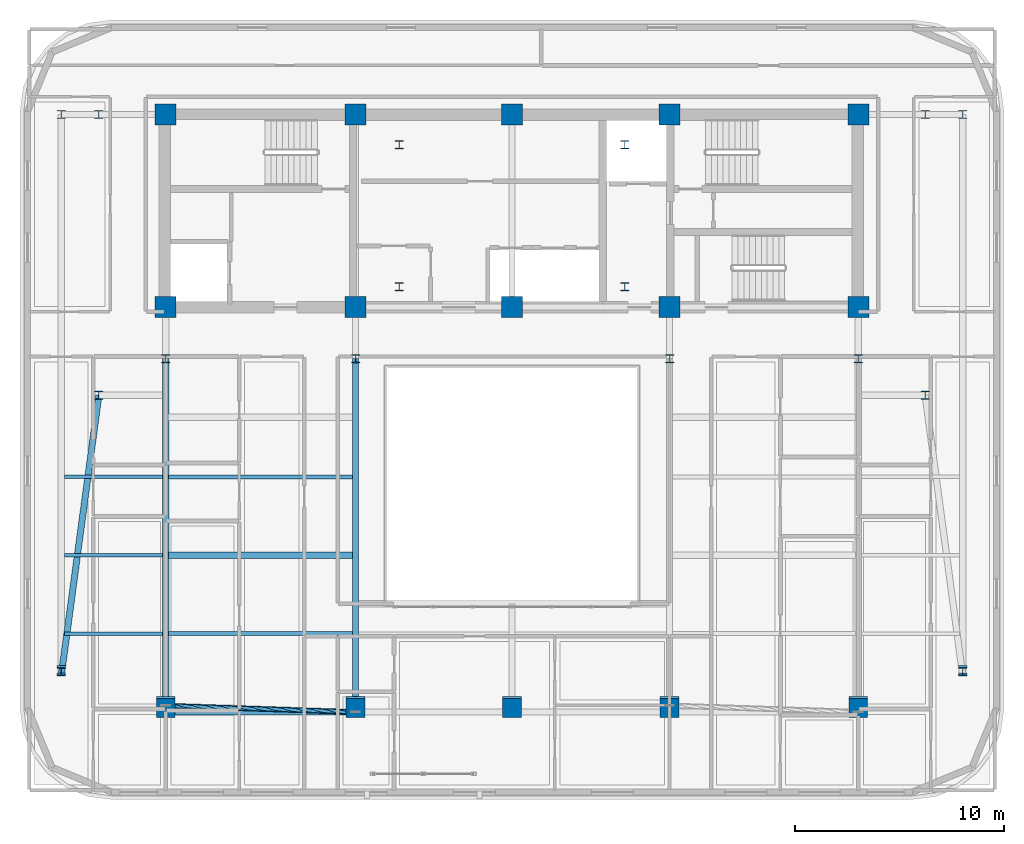
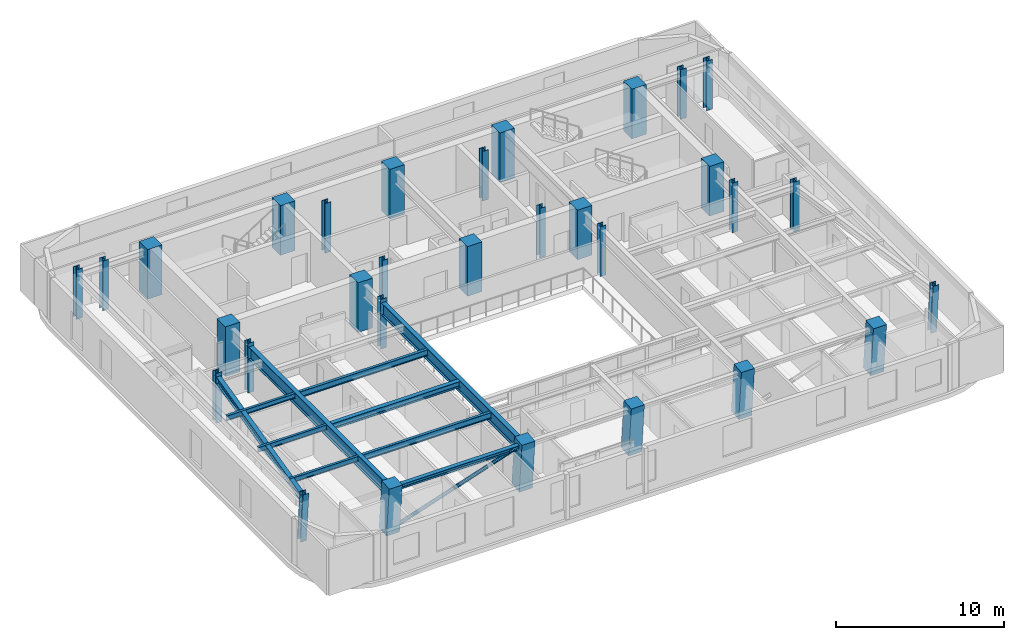
# One storey, part 1 of 14: 31 columns, 10 beams, 1 member.
"""IFC4 building model written with IfcOpenShell, lengths in metres."""

from ifc_helpers import new_model, si_unit, direction, frame, origin, origin_2d, place, context, subcontext, project, spatial, rectangle, hollow_circle, i_section, extrude, material, material_profile, profile_set, type_object, element, save


model = new_model("IFC4")

# Units and contexts
model_context = context("Model", 3, precision=1e-05, world=origin(), true_north=direction((0.0, 1.0)))
body_context = subcontext(model_context, "Body", "Model", "MODEL_VIEW")
ifc_project = project(units=[si_unit("LENGTHUNIT", "METRE"), si_unit("AREAUNIT", "SQUARE_METRE"), si_unit("VOLUMEUNIT", "CUBIC_METRE"), si_unit("PLANEANGLEUNIT", "RADIAN"), si_unit("MASSUNIT", "GRAM", prefix="KILO")], contexts=[model_context])

# Site, building, storey
site_placement = place(None, origin())
site = spatial("IfcSite", under=ifc_project, at=site_placement, CompositionType="ELEMENT")
building_placement = place(site_placement, origin())
building = spatial("IfcBuilding", under=site, at=building_placement, Name="Zarnavel Station Tower", CompositionType="ELEMENT")
storey_placement = place(building_placement, frame((0.0, 0.0, 193.199951171875)))
storey = spatial("IfcBuildingStorey", under=building, at=storey_placement, Name="L52", CompositionType="ELEMENT", Elevation=193.199951171875)

# Columns
ifc_material_1 = material(Name="Steel S355J2", Category="steel")
ifc_material_profile_1 = material_profile(ifc_material_1, i_section(OverallWidth=0.407958984375, OverallDepth=0.39990234375, WebThickness=0.02490234375, FlangeThickness=0.0390625, FilletRadius=0.014892578125, at=origin_2d()), Name="HD400x287")
ifc_profile_set_1 = profile_set([ifc_material_profile_1], Name="Steel S355J2")
column_type_1 = type_object("IfcColumnType", Name="EC_HD287", PredefinedType="COLUMN", material=ifc_profile_set_1)
column_1_placement = place(storey_placement, frame((7.199951171875, 10.439453125, 0.0), z_axis=(0.0, -0.079901051777, 0.996802799918), x_axis=(1.0, 0.0, 0.0)))
element("IfcColumn", 1, at=column_1_placement, inside=storey, type_object=column_type_1, Name="L52 Raked Wing Column 1", PredefinedType="COLUMN", context=body_context, shape_type="SweptSolid", body=[
    extrude(i_section(OverallWidth=0.407958984375, OverallDepth=0.39990234375, WebThickness=0.02490234375, FlangeThickness=0.0390625, FilletRadius=0.014892578125, at=origin_2d()), origin(), (0.0, 0.0, 1.0), 3.611572265625),
])
column_2_placement = place(storey_placement, frame((7.199951171875, 37.050048828125, 0.0), z_axis=(0.0, 0.0, 1.0), x_axis=(1.0, 0.0, 0.0)))
element("IfcColumn", 2, at=column_2_placement, inside=storey, type_object=column_type_1, Name="L52 Outer Wing North Column 1", PredefinedType="COLUMN", context=body_context, shape_type="SweptSolid", body=[
    extrude(i_section(OverallWidth=0.407958984375, OverallDepth=0.39990234375, WebThickness=0.02490234375, FlangeThickness=0.0390625, FilletRadius=0.014892578125, at=origin_2d()), origin(), (0.0, 0.0, 1.0), 3.60009765625),
])
column_3_placement = place(storey_placement, frame((50.39990234375, 10.439453125, 0.0), z_axis=(0.0, -0.079901051777, 0.996802799918), x_axis=(1.0, 0.0, 0.0)))
element("IfcColumn", 3, at=column_3_placement, inside=storey, type_object=column_type_1, Name="L52 Raked Wing Column 2", PredefinedType="COLUMN", context=body_context, shape_type="SweptSolid", body=[
    extrude(i_section(OverallWidth=0.407958984375, OverallDepth=0.39990234375, WebThickness=0.02490234375, FlangeThickness=0.0390625, FilletRadius=0.014892578125, at=origin_2d()), origin(), (0.0, 0.0, 1.0), 3.611572265625),
])
column_4_placement = place(storey_placement, frame((50.39990234375, 37.050048828125, 0.0), z_axis=(0.0, 0.0, 1.0), x_axis=(1.0, 0.0, 0.0)))
element("IfcColumn", 4, at=column_4_placement, inside=storey, type_object=column_type_1, Name="L52 Outer Wing North Column 2", PredefinedType="COLUMN", context=body_context, shape_type="SweptSolid", body=[
    extrude(i_section(OverallWidth=0.407958984375, OverallDepth=0.39990234375, WebThickness=0.02490234375, FlangeThickness=0.0390625, FilletRadius=0.014892578125, at=origin_2d()), origin(), (0.0, 0.0, 1.0), 3.60009765625),
])
ifc_material_2 = material(Name="Steel S355J2", Category="steel")
ifc_material_profile_2 = material_profile(ifc_material_2, i_section(OverallWidth=0.407958984375, OverallDepth=0.39990234375, WebThickness=0.02490234375, FlangeThickness=0.0390625, FilletRadius=0.014892578125, at=origin_2d()), Name="HD400x287")
ifc_profile_set_2 = profile_set([ifc_material_profile_2], Name="Steel S355J2")
column_type_2 = type_object("IfcColumnType", Name="IC_HD287", PredefinedType="COLUMN", material=ifc_profile_set_2)
for number, where, z_axis, x_axis, name in (
    (5, (23.39990234375, 28.800048828125, 0.0), (0.0, 0.0, 1.0), (1.0, 0.0, 0.0), "L52 Mast Spine Column 1"),
    (6, (34.199951171875, 28.800048828125, 0.0), (0.0, 0.0, 1.0), (1.0, 0.0, 0.0), "L52 Mast Spine Column 2"),
    (7, (34.199951171875, 35.60009765625, 0.0), (0.0, 0.0, 1.0), (1.0, 0.0, 0.0), "L52 Mast Spine Column 3"),
    (8, (23.39990234375, 35.60009765625, 0.0), (0.0, 0.0, 1.0), (1.0, 0.0, 0.0), "L52 Mast Spine Column 4"),
    (9, (12.199951171875, 25.35009765625, 0.0), (0.0, 0.0, 1.0), (1.0, 0.0, 0.0), "L52 Inner Spine Column 1"),
    (10, (21.300048828125, 25.35009765625, 0.0), (0.0, 0.0, 1.0), (1.0, 0.0, 0.0), "L52 Inner Spine Column 2"),
    (11, (36.35009765625, 25.35009765625, 0.0), (0.0, 0.0, 1.0), (1.0, 0.0, 0.0), "L52 Inner Spine Column 4"),
    (12, (45.39990234375, 25.35009765625, 0.0), (0.0, 0.0, 1.0), (1.0, 0.0, 0.0), "L52 Inner Spine Column 5"),
    (13, (9.0, 23.60009765625, 0.0), (0.0, 0.0, 1.0), (1.0, 0.0, 0.0), "L52 Inner Wing Spine Column 1-1"),
    (14, (9.0, 37.050048828125, 0.0), (0.0, 0.0, 1.0), (1.0, 0.0, 0.0), "L52 Inner Wing Spine Column 1-2"),
    (15, (48.60009765625, 23.60009765625, 0.0), (0.0, 0.0, 1.0), (1.0, 0.0, 0.0), "L52 Inner Wing Spine Column 2-1"),
    (16, (48.60009765625, 37.050048828125, 0.0), (0.0, 0.0, 1.0), (1.0, 0.0, 0.0), "L52 Inner Wing Spine Column 2-2"),
):
    element("IfcColumn", number, at=place(storey_placement, frame(where, z_axis=z_axis, x_axis=x_axis)), inside=storey, type_object=column_type_2, Name=name, PredefinedType="COLUMN", context=body_context, shape_type="SweptSolid", body=[
        extrude(i_section(OverallWidth=0.407958984375, OverallDepth=0.39990234375, WebThickness=0.02490234375, FlangeThickness=0.0390625, FilletRadius=0.014892578125, at=origin_2d()), origin(), (0.0, 0.0, 1.0), 3.60009765625),
    ])
ifc_material_3 = material(Name="Concrete C50/60", Category="concrete")
ifc_material_profile_3 = material_profile(ifc_material_3, rectangle(XDim=1.0, YDim=1.0, at=origin_2d()), Name="RC1000x1000")
ifc_profile_set_3 = profile_set([ifc_material_profile_3], Name="Concrete C50/60")
column_type_3 = type_object("IfcColumnType", Name="IC_RC1000", PredefinedType="COLUMN", material=ifc_profile_set_3)
for number, where, z_axis, x_axis, name in (
    (17, (12.199951171875, 27.820068359375, 0.0), (0.0, 0.0, 1.0), (1.0, 0.0, 0.0), "L52 Core Spine Column 1-1"),
    (18, (12.199951171875, 37.050048828125, 0.0), (0.0, 0.0, 1.0), (1.0, 0.0, 0.0), "L52 Core Spine Column 1-2"),
    (19, (21.300048828125, 27.820068359375, 0.0), (0.0, 0.0, 1.0), (1.0, 0.0, 0.0), "L52 Core Spine Column 2-1"),
    (20, (21.300048828125, 37.050048828125, 0.0), (0.0, 0.0, 1.0), (1.0, 0.0, 0.0), "L52 Core Spine Column 2-2"),
    (21, (28.800048828125, 27.820068359375, 0.0), (0.0, 0.0, 1.0), (1.0, 0.0, 0.0), "L52 Core Spine Column 3-1"),
    (22, (28.800048828125, 37.050048828125, 0.0), (0.0, 0.0, 1.0), (1.0, 0.0, 0.0), "L52 Core Spine Column 3-2"),
    (23, (36.35009765625, 27.820068359375, 0.0), (0.0, 0.0, 1.0), (1.0, 0.0, 0.0), "L52 Core Spine Column 4-1"),
    (24, (36.35009765625, 37.050048828125, 0.0), (0.0, 0.0, 1.0), (1.0, 0.0, 0.0), "L52 Core Spine Column 4-2"),
    (25, (45.39990234375, 27.820068359375, 0.0), (0.0, 0.0, 1.0), (1.0, 0.0, 0.0), "L52 Core Spine Column 5-1"),
    (26, (45.39990234375, 37.050048828125, 0.0), (0.0, 0.0, 1.0), (1.0, 0.0, 0.0), "L52 Core Spine Column 5-2"),
):
    element("IfcColumn", number, at=place(storey_placement, frame(where, z_axis=z_axis, x_axis=x_axis)), inside=storey, type_object=column_type_3, Name=name, PredefinedType="COLUMN", context=body_context, shape_type="SweptSolid", body=[
        extrude(rectangle(XDim=1.0, YDim=1.0, at=origin_2d()), origin(), (0.0, 0.0, 1.0), 3.60009765625),
    ])
ifc_material_4 = material(Name="Concrete C50/60", Category="concrete")
ifc_material_profile_4 = material_profile(ifc_material_4, rectangle(XDim=0.89990234375, YDim=0.89990234375, at=origin_2d()), Name="RC900x900")
ifc_profile_set_4 = profile_set([ifc_material_profile_4], Name="Concrete C50/60")
column_type_4 = type_object("IfcColumnType", Name="MC_RC900", PredefinedType="COLUMN", material=ifc_profile_set_4)
for number, where, z_axis, x_axis, name in (
    (27, (12.199951171875, 8.72021484375, 0.0), (0.0, -0.090231265542, 0.995920839584), (1.0, 0.0, 0.0), "L52 Raked South Mega-Column 1"),
    (28, (21.300048828125, 8.72021484375, 0.0), (0.0, -0.090231265542, 0.995920839584), (1.0, 0.0, 0.0), "L52 Raked South Mega-Column 2"),
    (29, (28.800048828125, 8.72021484375, 0.0), (0.0, -0.090231265542, 0.995920839584), (1.0, 0.0, 0.0), "L52 Raked South Mega-Column 3"),
    (30, (36.35009765625, 8.72021484375, 0.0), (0.0, -0.090231265542, 0.995920839584), (1.0, 0.0, 0.0), "L52 Raked South Mega-Column 4"),
    (31, (45.39990234375, 8.72021484375, 0.0), (0.0, -0.090231265542, 0.995920839584), (1.0, 0.0, 0.0), "L52 Raked South Mega-Column 5"),
):
    element("IfcColumn", number, at=place(storey_placement, frame(where, z_axis=z_axis, x_axis=x_axis)), inside=storey, type_object=column_type_4, Name=name, PredefinedType="COLUMN", context=body_context, shape_type="SweptSolid", body=[
        extrude(rectangle(XDim=0.89990234375, YDim=0.89990234375, at=origin_2d()), origin(), (0.0, 0.0, 1.0), 3.61474609375),
    ])

# Member
ifc_material_5 = material(Name="Steel S355J2", Category="steel")
ifc_material_profile_5 = material_profile(ifc_material_5, hollow_circle(Radius=0.122314453125, WallThickness=0.010009765625, at=origin_2d()), Name="CHS244.5x10")
ifc_profile_set_5 = profile_set([ifc_material_profile_5], Name="Steel S355J2")
member_type = type_object("IfcMemberType", Name="DB_EXT_CHS245", PredefinedType="BRACE", material=ifc_profile_set_5)
member_placement = place(storey_placement, frame((12.199951171875, 8.72021484375, 0.0), z_axis=(0.938305928034, -0.03121477037, 0.344394575346), x_axis=(0.033248763554, 0.999447107016, 0.0)))
element("IfcMember", 32, at=member_placement, inside=storey, type_object=member_type, Name="L52 Persian Exterior Diagonal Frame Brace 1", PredefinedType="BRACE", context=body_context, shape_type="SweptSolid", body=[
    extrude(hollow_circle(Radius=0.122314453125, WallThickness=0.010009765625, at=origin_2d()), origin(), (0.0, 0.0, 1.0), 9.698486328125),
])

# Beams
ifc_material_6 = material(Name="Steel S355J2", Category="steel")
ifc_material_profile_6 = material_profile(ifc_material_6, i_section(OverallWidth=0.300048828125, OverallDepth=0.320068359375, WebThickness=0.011474609375, FlangeThickness=0.0205078125, FilletRadius=0.027099609375, at=origin_2d()), Name="HEB320")
ifc_profile_set_6 = profile_set([ifc_material_profile_6], Name="Steel S355J2")
beam_type_1 = type_object("IfcBeamType", Name="EB_HEB320", PredefinedType="SPANDREL", material=ifc_profile_set_6)
beam_1_placement = place(storey_placement, frame((12.199951171875, 8.41748046875, 3.179931640625), z_axis=(1.0, 0.0, 0.0), x_axis=(0.0, 1.0, 0.0)))
element("IfcBeam", 33, at=beam_1_placement, inside=storey, type_object=beam_type_1, Name="L52 South Raked Spandrel 1", PredefinedType="SPANDREL", context=body_context, shape_type="SweptSolid", body=[
    extrude(i_section(OverallWidth=0.300048828125, OverallDepth=0.320068359375, WebThickness=0.011474609375, FlangeThickness=0.0205078125, FilletRadius=0.027099609375, at=origin_2d()), origin(), (0.0, 0.0, 1.0), 9.10009765625),
])
ifc_material_7 = material(Name="Steel S355J2", Category="steel")
ifc_material_profile_7 = material_profile(ifc_material_7, i_section(OverallWidth=0.300048828125, OverallDepth=0.43994140625, WebThickness=0.011474609375, FlangeThickness=0.02099609375, FilletRadius=0.027099609375, at=origin_2d()), Name="HEA450")
ifc_profile_set_7 = profile_set([ifc_material_profile_7], Name="Steel S355J2")
beam_type_2 = type_object("IfcBeamType", Name="FB_HEA450", PredefinedType="BEAM", material=ifc_profile_set_7)
beam_2_placement = place(storey_placement, frame((12.344970703125, 15.930419921875, 3.1201171875), z_axis=(1.0, 0.0, 0.0), x_axis=(0.0, 1.0, 0.0)))
element("IfcBeam", 34, at=beam_2_placement, inside=storey, type_object=beam_type_2, Name="L52 West Bay Beam 2", PredefinedType="BEAM", context=body_context, shape_type="SweptSolid", body=[
    extrude(i_section(OverallWidth=0.300048828125, OverallDepth=0.43994140625, WebThickness=0.011474609375, FlangeThickness=0.02099609375, FilletRadius=0.027099609375, at=origin_2d()), origin(), (0.0, 0.0, 1.0), 8.81005859375),
])
ifc_material_8 = material(Name="Steel S355J2", Category="steel")
ifc_material_profile_8 = material_profile(ifc_material_8, i_section(OverallWidth=0.18994140625, OverallDepth=0.449951171875, WebThickness=0.009521484375, FlangeThickness=0.0146484375, FilletRadius=0.02099609375, at=origin_2d()), Name="IPE450")
ifc_profile_set_8 = profile_set([ifc_material_profile_8], Name="Steel S355J2")
beam_type_3 = type_object("IfcBeamType", Name="FB_IPE450", PredefinedType="BEAM", material=ifc_profile_set_8)
for number, where, z_axis, x_axis, name in (
    (35, (12.344970703125, 12.174072265625, 3.114990234375), (1.0, 0.0, 0.0), (0.0, 1.0, 0.0), "L52 West Bay Beam 1"),
    (36, (12.344970703125, 19.68701171875, 3.114990234375), (1.0, 0.0, 0.0), (0.0, 1.0, 0.0), "L52 West Bay Beam 3"),
):
    element("IfcBeam", number, at=place(storey_placement, frame(where, z_axis=z_axis, x_axis=x_axis)), inside=storey, type_object=beam_type_3, Name=name, PredefinedType="BEAM", context=body_context, shape_type="SweptSolid", body=[
        extrude(i_section(OverallWidth=0.18994140625, OverallDepth=0.449951171875, WebThickness=0.009521484375, FlangeThickness=0.0146484375, FilletRadius=0.02099609375, at=origin_2d()), origin(), (0.0, 0.0, 1.0), 8.81005859375),
    ])
ifc_material_9 = material(Name="Steel S355J2", Category="steel")
ifc_material_profile_9 = material_profile(ifc_material_9, i_section(OverallWidth=0.300048828125, OverallDepth=0.5, WebThickness=0.014404296875, FlangeThickness=0.028076171875, FilletRadius=0.027099609375, at=origin_2d()), Name="HEB500")
ifc_profile_set_9 = profile_set([ifc_material_profile_9], Name="Steel S355J2")
beam_type_4 = type_object("IfcBeamType", Name="FG_HEB500", PredefinedType="USERDEFINED", material=ifc_profile_set_9)
beam_3_placement = place(storey_placement, frame((7.199951171875, 10.171875, 3.090087890625), z_axis=(0.132861272842, 0.991134643819, 0.0), x_axis=(-0.991134643819, 0.132861272842, 0.0)))
element("IfcBeam", 37, at=beam_3_placement, inside=storey, type_object=beam_type_4, Name="L52 West Wing South Tie 1", ObjectType="GIRDER", PredefinedType="USERDEFINED", context=body_context, shape_type="SweptSolid", body=[
    extrude(i_section(OverallWidth=0.300048828125, OverallDepth=0.5, WebThickness=0.014404296875, FlangeThickness=0.028076171875, FilletRadius=0.027099609375, at=origin_2d()), origin(), (0.0, 0.0, 1.0), 13.54833984375),
])
ifc_material_10 = material(Name="Steel S355J2", Category="steel")
ifc_material_profile_10 = material_profile(ifc_material_10, i_section(OverallWidth=0.300048828125, OverallDepth=0.89990234375, WebThickness=0.0185546875, FlangeThickness=0.034912109375, FilletRadius=0.030029296875, at=origin_2d()), Name="HEB900")
ifc_profile_set_10 = profile_set([ifc_material_profile_10], Name="Steel S355J2")
beam_type_5 = type_object("IfcBeamType", Name="FG_HEB900", PredefinedType="USERDEFINED", material=ifc_profile_set_10)
for number, where, z_axis, x_axis, name in (
    (38, (12.199951171875, 8.41748046875, 2.89013671875), (0.0, 1.0, 0.0), (-1.0, 0.0, 0.0), "L52 South-Zone NS Girder 1"),
    (39, (21.300048828125, 8.41748046875, 2.89013671875), (0.0, 1.0, 0.0), (-1.0, 0.0, 0.0), "L52 South-Zone NS Girder 2"),
):
    element("IfcBeam", number, at=place(storey_placement, frame(where, z_axis=z_axis, x_axis=x_axis)), inside=storey, type_object=beam_type_5, Name=name, ObjectType="GIRDER", PredefinedType="USERDEFINED", context=body_context, shape_type="SweptSolid", body=[
        extrude(i_section(OverallWidth=0.300048828125, OverallDepth=0.89990234375, WebThickness=0.0185546875, FlangeThickness=0.034912109375, FilletRadius=0.030029296875, at=origin_2d()), origin(), (0.0, 0.0, 1.0), 16.9326171875),
    ])
ifc_material_11 = material(Name="Steel S355J2", Category="steel")
ifc_material_profile_11 = material_profile(ifc_material_11, i_section(OverallWidth=0.169921875, OverallDepth=0.360107421875, WebThickness=0.008056640625, FlangeThickness=0.0126953125, FilletRadius=0.01806640625, at=origin_2d()), Name="IPE360")
ifc_profile_set_11 = profile_set([ifc_material_profile_11], Name="Steel S355J2")
beam_type_6 = type_object("IfcBeamType", Name="FJ_IPE360", PredefinedType="JOIST", material=ifc_profile_set_11)
for number, where, z_axis, x_axis, name in (
    (40, (7.344970703125, 12.174072265625, 3.16015625), (1.0, 0.0, 0.0), (0.0, 1.0, 0.0), "L52 West Wing Joist 1"),
    (41, (7.344970703125, 15.930419921875, 3.16015625), (1.0, 0.0, 0.0), (0.0, 1.0, 0.0), "L52 West Wing Joist 2"),
    (42, (7.344970703125, 19.68701171875, 3.16015625), (1.0, 0.0, 0.0), (0.0, 1.0, 0.0), "L52 West Wing Joist 3"),
):
    element("IfcBeam", number, at=place(storey_placement, frame(where, z_axis=z_axis, x_axis=x_axis)), inside=storey, type_object=beam_type_6, Name=name, PredefinedType="JOIST", context=body_context, shape_type="SweptSolid", body=[
        extrude(i_section(OverallWidth=0.169921875, OverallDepth=0.360107421875, WebThickness=0.008056640625, FlangeThickness=0.0126953125, FilletRadius=0.01806640625, at=origin_2d()), origin(), (0.0, 0.0, 1.0), 4.7099609375),
    ])

save(model, "model.ifc")
